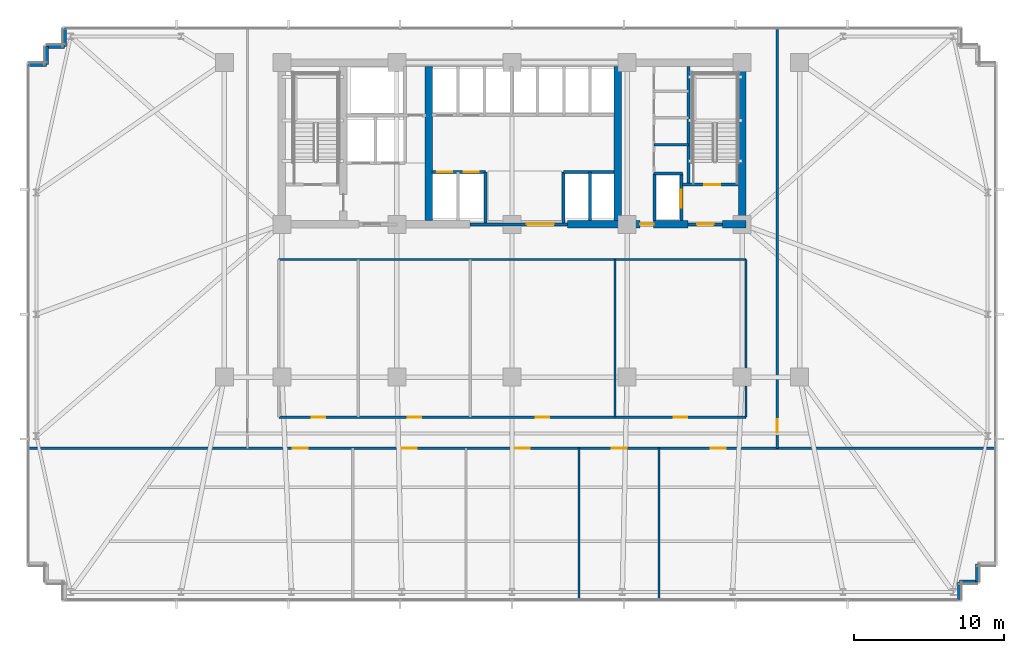
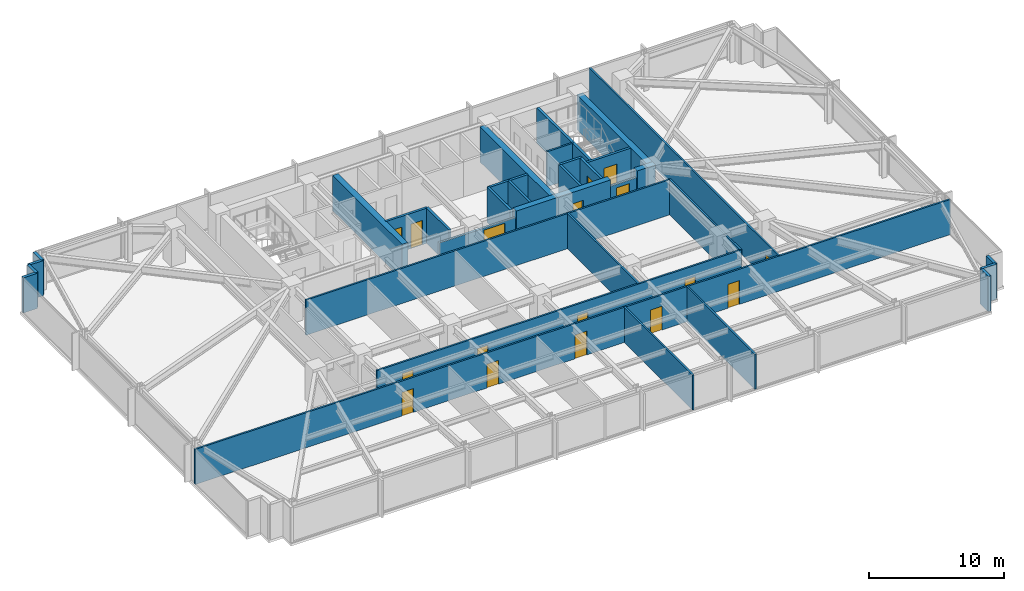
# One storey, part 25 of 33: 33 walls, 17 doors, 17 openings.
"""IFC4 building model written with IfcOpenShell, lengths in metres."""

from ifc_helpers import new_model, si_unit, direction, frame, frame_2d, origin, place, context, subcontext, project, spatial, rectangle, extrude, material, layer, layer_set, type_object, element, fill, save


model = new_model("IFC4")

# Units and contexts
model_context = context("Model", 3, precision=1e-05, world=origin(), true_north=direction((0.0, 1.0)))
body_context = subcontext(model_context, "Body", "Model", "MODEL_VIEW")
ifc_project = project(units=[si_unit("LENGTHUNIT", "METRE"), si_unit("AREAUNIT", "SQUARE_METRE"), si_unit("VOLUMEUNIT", "CUBIC_METRE"), si_unit("PLANEANGLEUNIT", "RADIAN"), si_unit("MASSUNIT", "GRAM", prefix="KILO")], contexts=[model_context])

# Site, building, storey
site_placement = place(None, origin())
site = spatial("IfcSite", under=ifc_project, at=site_placement, CompositionType="ELEMENT")
building_placement = place(site_placement, origin())
building = spatial("IfcBuilding", under=site, at=building_placement, Name="Yelkora Congress Tower", CompositionType="ELEMENT")
storey_placement = place(building_placement, frame((0.0, 0.0, 71.199951171875)))
storey = spatial("IfcBuildingStorey", under=building, at=storey_placement, Name="L18", CompositionType="ELEMENT", Elevation=71.199951171875)

# Wall
ifc_material_1 = material(Name="Concrete C50/60", Category="concrete")
ifc_layer_1 = layer(ifc_material_1, 0.219970703125)
ifc_layer_set_1 = layer_set([ifc_layer_1], Name="Concrete C50/60")
wall_type_1 = type_object("IfcWallType", Name="WALL-CORE-INT-220", PredefinedType="SHEAR", material=ifc_layer_set_1)
wall_1_placement = place(storey_placement, frame((50.179931640625, 38.050048828125, 0.0), z_axis=(0.0, 0.0, 1.0), x_axis=(0.0, 1.0, 0.0)))
element("IfcWall", 1, at=wall_1_placement, inside=storey, type_object=wall_type_1, Name="L18 ST02 West Stair Shear Wall", PredefinedType="SHEAR", context=body_context, shape_type="SweptSolid", body=[
    extrude(rectangle(XDim=7.89990234375, YDim=0.219970703125, at=frame_2d((3.949951171875, 0.0))), origin(), (0.0, 0.0, 1.0), 3.179931640625),
])

# Wall, opening, door
ifc_material_2 = material(Name="Concrete C60/75", Category="concrete")
ifc_layer_2 = layer(ifc_material_2, 0.5)
ifc_layer_set_2 = layer_set([ifc_layer_2], Name="Concrete C60/75")
wall_type_2 = type_object("IfcWallType", Name="WALL-CORE-INT-500", PredefinedType="SHEAR", material=ifc_layer_set_2)
wall_2_placement = place(storey_placement, frame((42.10009765625, 35.39990234375, 0.0), z_axis=(0.0, 0.0, 1.0), x_axis=(1.0, 0.0, 0.0)))
wall_2 = element("IfcWall", 2, at=wall_2_placement, inside=storey, type_object=wall_type_2, Name="L18 Rear Core South-East Shear Wall A", PredefinedType="SHEAR", context=body_context, shape_type="SweptSolid", body=[
    extrude(rectangle(XDim=8.0498046875, YDim=0.5, at=frame_2d((4.02490234375, 0.0))), origin(), (0.0, 0.0, 1.0), 3.179931640625),
])
opening_1_placement = place(wall_2_placement, frame((4.85009765625, 0.0, 0.0)))
opening_1 = element("IfcOpeningElement", 3, at=opening_1_placement, cuts=wall_2, Name="Opening DR-090F6", PredefinedType="OPENING", context=body_context, shape_type="SweptSolid", body=[
    extrude(rectangle(XDim=0.89990234375, YDim=2.14990234375, at=frame_2d((0.449951171875, 1.074951171875))), frame((0.0, 0.260009765625, 0.0), z_axis=(0.0, -1.0, 0.0), x_axis=(1.0, 0.0, 0.0)), (0.0, 0.0, 1.0), 0.52001953125),
])
ifc_material_3 = material(Name="Painted steel riser fire door leaf", Category="steel")
door_type_1 = type_object("IfcDoorType", Name="DOOR-FD60-900", OperationType="NOTDEFINED", PredefinedType="DOOR", material=ifc_material_3)
door_1_placement = place(opening_1_placement, origin())
door_1 = element("IfcDoor", 4, at=door_1_placement, inside=storey, type_object=door_type_1, Name="L18 Core Washroom Lobby Door", OperationType="SINGLE_SWING_RIGHT", OverallHeight=2.14990234375, OverallWidth=0.89990234375, PredefinedType="DOOR", context=body_context, shape_type="SweptSolid", body=[
    extrude(rectangle(XDim=0.89990234375, YDim=2.14990234375, at=frame_2d((0.449951171875, 1.074951171875))), frame((0.0, 0.02490234375, 0.0), z_axis=(0.0, -1.0, 0.0), x_axis=(1.0, 0.0, 0.0)), (0.0, 0.0, 1.0), 0.050048828125),
])
fill(opening_1, door_1)

# Walls
wall_3_placement = place(storey_placement, frame((52.449951171875, 35.39990234375, 0.0), z_axis=(0.0, 0.0, 1.0), x_axis=(1.0, 0.0, 0.0)))
element("IfcWall", 5, at=wall_3_placement, inside=storey, type_object=wall_type_2, Name="L18 Rear Core South-East Shear Wall B", PredefinedType="SHEAR", context=body_context, shape_type="SweptSolid", body=[
    extrude(rectangle(XDim=1.56005859375, YDim=0.5, at=frame_2d((0.780029296875, 0.0))), origin(), (0.0, 0.0, 1.0), 3.179931640625),
])
for number, where, z_axis, x_axis, name in (
    (6, (32.85009765625, 35.64990234375, 0.0), (0.0, 0.0, 1.0), (0.0, 1.0, 0.0), "L18 Rear Core Cross Shear Wall C2"),
    (7, (45.449951171875, 35.64990234375, 0.0), (0.0, 0.0, 1.0), (0.0, 1.0, 0.0), "L18 Rear Core Cross Shear Wall C3"),
    (8, (53.760009765625, 35.64990234375, 0.0), (0.0, 0.0, 1.0), (0.0, 1.0, 0.0), "L18 Rear Core Cross Shear Wall E"),
):
    element("IfcWall", number, at=place(storey_placement, frame(where, z_axis=z_axis, x_axis=x_axis)), inside=storey, type_object=wall_type_2, Name=name, PredefinedType="SHEAR", context=body_context, shape_type="SweptSolid", body=[
        extrude(rectangle(XDim=10.300048828125, YDim=0.5, at=frame_2d((5.14990234375, 0.0))), origin(), (0.0, 0.0, 1.0), 3.179931640625),
    ])
ifc_material_4 = material(Name="Concrete C40/50", Category="concrete")
ifc_layer_3 = layer(ifc_material_4, 0.239990234375)
ifc_layer_set_3 = layer_set([ifc_layer_3], Name="Concrete C40/50")
wall_type_3 = type_object("IfcWallType", Name="WALL-EXT-LIMESTONE-240", PredefinedType="SOLIDWALL", material=ifc_layer_set_3)
wall_4_placement = place(storey_placement, frame((6.139892578125, 46.06005859375, 0.0), z_axis=(0.0, 0.0, 1.0), x_axis=(1.0, 0.0, 0.0)))
element("IfcWall", 9, at=wall_4_placement, inside=storey, type_object=wall_type_3, Name="L18 Serrated Corner Limestone Pier 6", PredefinedType="SOLIDWALL", context=body_context, shape_type="SweptSolid", body=[
    extrude(rectangle(XDim=1.2001953125, YDim=0.239990234375, at=frame_2d((0.60009765625, 0.0))), origin(), (0.0, 0.0, 1.0), 3.179931640625),
])
for number, where, z_axis, x_axis, name in (
    (10, (7.340087890625, 46.06005859375, 0.0), (0.0, 0.0, 1.0), (0.0, 1.0, 0.0), "L18 Serrated Corner Limestone Pier 7"),
    (11, (7.340087890625, 47.260009765625, 0.0), (0.0, 0.0, 1.0), (1.0, 0.0, 0.0), "L18 Serrated Corner Limestone Pier 8"),
    (12, (8.5400390625, 47.260009765625, 0.0), (0.0, 0.0, 1.0), (0.0, 1.0, 0.0), "L18 Serrated Corner Limestone Pier 9"),
    (13, (69.4599609375, 12.739990234375, 0.0), (0.0, 0.0, 1.0), (0.0, -1.0, 0.0), "L18 Serrated Corner Limestone Pier 17"),
    (14, (69.4599609375, 11.5400390625, 0.0), (0.0, 0.0, 1.0), (-1.0, 0.0, 0.0), "L18 Serrated Corner Limestone Pier 18"),
    (15, (68.260009765625, 11.5400390625, 0.0), (0.0, 0.0, 1.0), (0.0, -1.0, 0.0), "L18 Serrated Corner Limestone Pier 19"),
):
    element("IfcWall", number, at=place(storey_placement, frame(where, z_axis=z_axis, x_axis=x_axis)), inside=storey, type_object=wall_type_3, Name=name, PredefinedType="SOLIDWALL", context=body_context, shape_type="SweptSolid", body=[
        extrude(rectangle(XDim=1.199951171875, YDim=0.239990234375, at=frame_2d((0.60009765625, 0.0))), origin(), (0.0, 0.0, 1.0), 3.179931640625),
    ])
ifc_material_5 = material(Name="Acoustic metal-stud gypsum partition", Category="gypsum")
ifc_layer_4 = layer(ifc_material_5, 0.14990234375)
ifc_layer_set_4 = layer_set([ifc_layer_4], Name="Acoustic metal-stud gypsum partition")
wall_type_4 = type_object("IfcWallType", Name="WALL-INT-150-NR", PredefinedType="PARTITIONING", material=ifc_layer_set_4)
wall_5_placement = place(storey_placement, frame((47.8798828125, 40.719970703125, 0.0), z_axis=(0.0, 0.0, 1.0), x_axis=(1.0, 0.0, 0.0)))
element("IfcWall", 16, at=wall_5_placement, inside=storey, type_object=wall_type_4, Name="L18 Partition Wall 28", PredefinedType="PARTITIONING", context=body_context, shape_type="SweptSolid", body=[
    extrude(rectangle(XDim=2.300048828125, YDim=0.14990234375, at=frame_2d((1.14990234375, 0.0))), origin(), (0.0, 0.0, 1.0), 3.179931640625),
])
for number, where, z_axis, x_axis, name in (
    (17, (42.8720703125, 10.280029296875, 0.0), (0.0, 0.0, 1.0), (0.0, 1.0, 0.0), "L18 Partition Wall 34"),
    (18, (48.218017578125, 10.280029296875, 0.0), (0.0, 0.0, 1.0), (0.0, 1.0, 0.0), "L18 Partition Wall 35"),
):
    element("IfcWall", number, at=place(storey_placement, frame(where, z_axis=z_axis, x_axis=x_axis)), inside=storey, type_object=wall_type_4, Name=name, PredefinedType="PARTITIONING", context=body_context, shape_type="SweptSolid", body=[
        extrude(rectangle(XDim=10.18994140625, YDim=0.14990234375, at=frame_2d((5.094970703125, 0.0))), origin(), (0.0, 0.0, 1.0), 3.179931640625),
    ])

# Wall, openings, doors
wall_6_placement = place(storey_placement, frame((6.080078125, 20.449951171875, 0.0), z_axis=(0.0, 0.0, 1.0), x_axis=(1.0, 0.0, 0.0)))
wall_6 = element("IfcWall", 19, at=wall_6_placement, inside=storey, type_object=wall_type_4, Name="L18 South Spine Wall", PredefinedType="PARTITIONING", context=body_context, shape_type="SweptSolid", body=[
    extrude(rectangle(XDim=64.639892578125, YDim=0.14990234375, at=frame_2d((32.31982421875, 0.0))), origin(), (0.0, 0.0, 1.0), 3.179931640625),
])
opening_2_placement = place(wall_6_placement, frame((17.68310546875, 0.0, 0.0)))
opening_2 = element("IfcOpeningElement", 20, at=opening_2_placement, cuts=wall_6, Name="Opening DR-100N", PredefinedType="OPENING", context=body_context, shape_type="SweptSolid", body=[
    extrude(rectangle(XDim=1.0, YDim=2.14990234375, at=frame_2d((0.5, 1.074951171875))), frame((0.0, 0.0849609375, 0.0), z_axis=(0.0, -1.0, 0.0), x_axis=(1.0, 0.0, 0.0)), (0.0, 0.0, 1.0), 0.169921875),
])
opening_3_placement = place(wall_6_placement, frame((24.969970703125, 0.0, 0.0)))
opening_3 = element("IfcOpeningElement", 21, at=opening_3_placement, cuts=wall_6, Name="Opening DR-100N", PredefinedType="OPENING", context=body_context, shape_type="SweptSolid", body=[
    extrude(rectangle(XDim=1.0, YDim=2.14990234375, at=frame_2d((0.5, 1.074951171875))), frame((0.0, 0.0849609375, 0.0), z_axis=(0.0, -1.0, 0.0), x_axis=(1.0, 0.0, 0.0)), (0.0, 0.0, 1.0), 0.169921875),
])
opening_4_placement = place(wall_6_placement, frame((32.51806640625, 0.0, 0.0)))
opening_4 = element("IfcOpeningElement", 22, at=opening_4_placement, cuts=wall_6, Name="Opening DR-100N", PredefinedType="OPENING", context=body_context, shape_type="SweptSolid", body=[
    extrude(rectangle(XDim=1.0, YDim=2.14990234375, at=frame_2d((0.5, 1.074951171875))), frame((0.0, 0.0849609375, 0.0), z_axis=(0.0, -1.0, 0.0), x_axis=(1.0, 0.0, 0.0)), (0.0, 0.0, 1.0), 0.169921875),
])
opening_5_placement = place(wall_6_placement, frame((38.965087890625, 0.0, 0.0)))
opening_5 = element("IfcOpeningElement", 23, at=opening_5_placement, cuts=wall_6, Name="Opening DR-100N", PredefinedType="OPENING", context=body_context, shape_type="SweptSolid", body=[
    extrude(rectangle(XDim=1.0, YDim=2.14990234375, at=frame_2d((0.5, 1.074951171875))), frame((0.0, 0.0849609375, 0.0), z_axis=(0.0, -1.0, 0.0), x_axis=(1.0, 0.0, 0.0)), (0.0, 0.0, 1.0), 0.169921875),
])
opening_6_placement = place(wall_6_placement, frame((45.5791015625, 0.0, 0.0)))
opening_6 = element("IfcOpeningElement", 24, at=opening_6_placement, cuts=wall_6, Name="Opening DR-100N", PredefinedType="OPENING", context=body_context, shape_type="SweptSolid", body=[
    extrude(rectangle(XDim=1.0, YDim=2.14990234375, at=frame_2d((0.5, 1.074951171875))), frame((0.0, 0.0849609375, 0.0), z_axis=(0.0, -1.0, 0.0), x_axis=(1.0, 0.0, 0.0)), (0.0, 0.0, 1.0), 0.169921875),
])
ifc_material_6 = material(Name="Solid-core Anatolian oak veneer door", Category="wood")
door_type_2 = type_object("IfcDoorType", Name="DOOR-INT-1000", OperationType="NOTDEFINED", PredefinedType="DOOR", material=ifc_material_6)
door_2_placement = place(opening_2_placement, origin())
door_2 = element("IfcDoor", 25, at=door_2_placement, inside=storey, type_object=door_type_2, Name="L18 Hospitality Kitchen Door", OperationType="SINGLE_SWING_RIGHT", OverallHeight=2.14990234375, OverallWidth=1.0, PredefinedType="DOOR", context=body_context, shape_type="SweptSolid", body=[
    extrude(rectangle(XDim=1.0, YDim=2.14990234375, at=frame_2d((0.5, 1.074951171875))), frame((0.0, 0.02490234375, 0.0), z_axis=(0.0, -1.0, 0.0), x_axis=(1.0, 0.0, 0.0)), (0.0, 0.0, 1.0), 0.050048828125),
])
fill(opening_2, door_2)
door_3_placement = place(opening_3_placement, origin())
door_3 = element("IfcDoor", 26, at=door_3_placement, inside=storey, type_object=door_type_2, Name="L18 Executive Office Door", OperationType="SINGLE_SWING_LEFT", OverallHeight=2.14990234375, OverallWidth=1.0, PredefinedType="DOOR", context=body_context, shape_type="SweptSolid", body=[
    extrude(rectangle(XDim=1.0, YDim=2.14990234375, at=frame_2d((0.5, 1.074951171875))), frame((0.0, 0.02490234375, 0.0), z_axis=(0.0, -1.0, 0.0), x_axis=(1.0, 0.0, 0.0)), (0.0, 0.0, 1.0), 0.050048828125),
])
fill(opening_3, door_3)
door_4_placement = place(opening_4_placement, origin())
door_4 = element("IfcDoor", 27, at=door_4_placement, inside=storey, type_object=door_type_2, Name="L18 Wellness Room Door", OperationType="SINGLE_SWING_RIGHT", OverallHeight=2.14990234375, OverallWidth=1.0, PredefinedType="DOOR", context=body_context, shape_type="SweptSolid", body=[
    extrude(rectangle(XDim=1.0, YDim=2.14990234375, at=frame_2d((0.5, 1.074951171875))), frame((0.0, 0.02490234375, 0.0), z_axis=(0.0, -1.0, 0.0), x_axis=(1.0, 0.0, 0.0)), (0.0, 0.0, 1.0), 0.050048828125),
])
fill(opening_4, door_4)
door_5_placement = place(opening_5_placement, origin())
door_5 = element("IfcDoor", 28, at=door_5_placement, inside=storey, type_object=door_type_2, Name="L18 Store Equipment Door", OperationType="SINGLE_SWING_LEFT", OverallHeight=2.14990234375, OverallWidth=1.0, PredefinedType="DOOR", context=body_context, shape_type="SweptSolid", body=[
    extrude(rectangle(XDim=1.0, YDim=2.14990234375, at=frame_2d((0.5, 1.074951171875))), frame((0.0, 0.02490234375, 0.0), z_axis=(0.0, -1.0, 0.0), x_axis=(1.0, 0.0, 0.0)), (0.0, 0.0, 1.0), 0.050048828125),
])
fill(opening_5, door_5)
door_6_placement = place(opening_6_placement, origin())
door_6 = element("IfcDoor", 29, at=door_6_placement, inside=storey, type_object=door_type_2, Name="L18 Design Studio Office Door", OperationType="SINGLE_SWING_RIGHT", OverallHeight=2.14990234375, OverallWidth=1.0, PredefinedType="DOOR", context=body_context, shape_type="SweptSolid", body=[
    extrude(rectangle(XDim=1.0, YDim=2.14990234375, at=frame_2d((0.5, 1.074951171875))), frame((0.0, 0.02490234375, 0.0), z_axis=(0.0, -1.0, 0.0), x_axis=(1.0, 0.0, 0.0)), (0.0, 0.0, 1.0), 0.050048828125),
])
fill(opening_6, door_6)

# Wall, opening, door
wall_7_placement = place(storey_placement, frame((56.10009765625, 20.449951171875, 0.0), z_axis=(0.0, 0.0, 1.0), x_axis=(0.0, 1.0, 0.0)))
wall_7 = element("IfcWall", 30, at=wall_7_placement, inside=storey, type_object=wall_type_4, Name="L18 Partition Wall 38", PredefinedType="PARTITIONING", context=body_context, shape_type="SweptSolid", body=[
    extrude(rectangle(XDim=28.070068359375, YDim=0.14990234375, at=frame_2d((14.03515625, 0.0))), origin(), (0.0, 0.0, 1.0), 3.179931640625),
])
opening_7_placement = place(wall_7_placement, frame((1.030029296875, 0.0, 0.0)))
opening_7 = element("IfcOpeningElement", 31, at=opening_7_placement, cuts=wall_7, Name="Opening DR-090N", PredefinedType="OPENING", context=body_context, shape_type="SweptSolid", body=[
    extrude(rectangle(XDim=0.89990234375, YDim=2.14990234375, at=frame_2d((0.449951171875, 1.074951171875))), frame((0.0, 0.0849609375, 0.0), z_axis=(0.0, -1.0, 0.0), x_axis=(1.0, 0.0, 0.0)), (0.0, 0.0, 1.0), 0.169921875),
])
ifc_material_7 = material(Name="Moisture-resistant laminate door leaf", Category="wood")
door_type_3 = type_object("IfcDoorType", Name="DOOR-INT-900", OperationType="NOTDEFINED", PredefinedType="DOOR", material=ifc_material_7)
door_7_placement = place(opening_7_placement, origin())
door_7 = element("IfcDoor", 32, at=door_7_placement, inside=storey, type_object=door_type_3, Name="L18 E Wing Door", OperationType="SINGLE_SWING_RIGHT", OverallHeight=2.14990234375, OverallWidth=0.89990234375, PredefinedType="DOOR", context=body_context, shape_type="SweptSolid", body=[
    extrude(rectangle(XDim=0.89990234375, YDim=2.14990234375, at=frame_2d((0.449951171875, 1.074951171875))), frame((0.0, 0.02490234375, 0.0), z_axis=(0.0, -1.0, 0.0), x_axis=(1.0, 0.0, 0.0)), (0.0, 0.0, 1.0), 0.050048828125),
])
fill(opening_7, door_7)

# Walls
wall_8_placement = place(storey_placement, frame((54.02001953125, 22.530029296875, 0.0), z_axis=(0.0, 0.0, 1.0), x_axis=(0.0, 1.0, 0.0)))
element("IfcWall", 33, at=wall_8_placement, inside=storey, type_object=wall_type_4, Name="L18 Partition Wall 40", PredefinedType="PARTITIONING", context=body_context, shape_type="SweptSolid", body=[
    extrude(rectangle(XDim=10.52001953125, YDim=0.14990234375, at=frame_2d((5.260009765625, 0.0))), origin(), (0.0, 0.0, 1.0), 3.179931640625),
])
wall_9_placement = place(storey_placement, frame((22.830078125, 33.050048828125, 0.0), z_axis=(0.0, 0.0, 1.0), x_axis=(1.0, 0.0, 0.0)))
element("IfcWall", 34, at=wall_9_placement, inside=storey, type_object=wall_type_4, Name="L18 Partition Wall 41", PredefinedType="PARTITIONING", context=body_context, shape_type="SweptSolid", body=[
    extrude(rectangle(XDim=31.18994140625, YDim=0.14990234375, at=frame_2d((15.594970703125, 0.0))), origin(), (0.0, 0.0, 1.0), 3.179931640625),
])
wall_10_placement = place(storey_placement, frame((45.281982421875, 22.530029296875, 0.0), z_axis=(0.0, 0.0, 1.0), x_axis=(0.0, 1.0, 0.0)))
element("IfcWall", 35, at=wall_10_placement, inside=storey, type_object=wall_type_4, Name="L18 Partition Wall 44", PredefinedType="PARTITIONING", context=body_context, shape_type="SweptSolid", body=[
    extrude(rectangle(XDim=10.52001953125, YDim=0.14990234375, at=frame_2d((5.260009765625, 0.0))), origin(), (0.0, 0.0, 1.0), 3.179931640625),
])

# Wall, openings, doors
wall_11_placement = place(storey_placement, frame((22.840087890625, 22.530029296875, 0.0), z_axis=(0.0, 0.0, 1.0), x_axis=(1.0, 0.0, 0.0)))
wall_11 = element("IfcWall", 36, at=wall_11_placement, inside=storey, type_object=wall_type_4, Name="L18 Partition Wall 45", PredefinedType="PARTITIONING", context=body_context, shape_type="SweptSolid", body=[
    extrude(rectangle(XDim=31.169921875, YDim=0.14990234375, at=frame_2d((15.5849609375, 0.0))), origin(), (0.0, 0.0, 1.0), 3.179931640625),
])
opening_8_placement = place(wall_11_placement, frame((2.199462890625, 0.0, 0.0)))
opening_8 = element("IfcOpeningElement", 37, at=opening_8_placement, cuts=wall_11, Name="Opening DR-090N", PredefinedType="OPENING", context=body_context, shape_type="SweptSolid", body=[
    extrude(rectangle(XDim=0.89990234375, YDim=2.14990234375, at=frame_2d((0.449951171875, 1.074951171875))), frame((0.0, 0.0849609375, 0.0), z_axis=(0.0, -1.0, 0.0), x_axis=(1.0, 0.0, 0.0)), (0.0, 0.0, 1.0), 0.169921875),
])
opening_9_placement = place(wall_11_placement, frame((8.589599609375, 0.0, 0.0)))
opening_9 = element("IfcOpeningElement", 38, at=opening_9_placement, cuts=wall_11, Name="Opening DR-090N", PredefinedType="OPENING", context=body_context, shape_type="SweptSolid", body=[
    extrude(rectangle(XDim=0.89990234375, YDim=2.14990234375, at=frame_2d((0.449951171875, 1.074951171875))), frame((0.0, 0.0849609375, 0.0), z_axis=(0.0, -1.0, 0.0), x_axis=(1.0, 0.0, 0.0)), (0.0, 0.0, 1.0), 0.169921875),
])
opening_10_placement = place(wall_11_placement, frame((17.160888671875, 0.0, 0.0)))
opening_10 = element("IfcOpeningElement", 39, at=opening_10_placement, cuts=wall_11, Name="Opening DR-090N", PredefinedType="OPENING", context=body_context, shape_type="SweptSolid", body=[
    extrude(rectangle(XDim=0.89990234375, YDim=2.14990234375, at=frame_2d((0.449951171875, 1.074951171875))), frame((0.0, 0.0849609375, 0.0), z_axis=(0.0, -1.0, 0.0), x_axis=(1.0, 0.0, 0.0)), (0.0, 0.0, 1.0), 0.169921875),
])
opening_11_placement = place(wall_11_placement, frame((26.35595703125, 0.0, 0.0)))
opening_11 = element("IfcOpeningElement", 40, at=opening_11_placement, cuts=wall_11, Name="Opening DR-090N", PredefinedType="OPENING", context=body_context, shape_type="SweptSolid", body=[
    extrude(rectangle(XDim=0.89990234375, YDim=2.14990234375, at=frame_2d((0.449951171875, 1.074951171875))), frame((0.0, 0.0849609375, 0.0), z_axis=(0.0, -1.0, 0.0), x_axis=(1.0, 0.0, 0.0)), (0.0, 0.0, 1.0), 0.169921875),
])
door_8_placement = place(opening_8_placement, origin())
door_8 = element("IfcDoor", 41, at=door_8_placement, inside=storey, type_object=door_type_3, Name="L18 Seminar Briefing Room Door", OperationType="SINGLE_SWING_LEFT", OverallHeight=2.14990234375, OverallWidth=0.89990234375, PredefinedType="DOOR", context=body_context, shape_type="SweptSolid", body=[
    extrude(rectangle(XDim=0.89990234375, YDim=2.14990234375, at=frame_2d((0.449951171875, 1.074951171875))), frame((0.0, 0.02490234375, 0.0), z_axis=(0.0, -1.0, 0.0), x_axis=(1.0, 0.0, 0.0)), (0.0, 0.0, 1.0), 0.050048828125),
])
fill(opening_8, door_8)
door_9_placement = place(opening_9_placement, origin())
door_9 = element("IfcDoor", 42, at=door_9_placement, inside=storey, type_object=door_type_3, Name="L18 Executive Study Office Door", OperationType="SINGLE_SWING_RIGHT", OverallHeight=2.14990234375, OverallWidth=0.89990234375, PredefinedType="DOOR", context=body_context, shape_type="SweptSolid", body=[
    extrude(rectangle(XDim=0.89990234375, YDim=2.14990234375, at=frame_2d((0.449951171875, 1.074951171875))), frame((0.0, 0.02490234375, 0.0), z_axis=(0.0, -1.0, 0.0), x_axis=(1.0, 0.0, 0.0)), (0.0, 0.0, 1.0), 0.050048828125),
])
fill(opening_9, door_9)
door_10_placement = place(opening_10_placement, origin())
door_10 = element("IfcDoor", 43, at=door_10_placement, inside=storey, type_object=door_type_3, Name="L18 Delegate Reading Lounge Door", OperationType="SINGLE_SWING_LEFT", OverallHeight=2.14990234375, OverallWidth=0.89990234375, PredefinedType="DOOR", context=body_context, shape_type="SweptSolid", body=[
    extrude(rectangle(XDim=0.89990234375, YDim=2.14990234375, at=frame_2d((0.449951171875, 1.074951171875))), frame((0.0, 0.02490234375, 0.0), z_axis=(0.0, -1.0, 0.0), x_axis=(1.0, 0.0, 0.0)), (0.0, 0.0, 1.0), 0.050048828125),
])
fill(opening_10, door_10)
door_11_placement = place(opening_11_placement, origin())
door_11 = element("IfcDoor", 44, at=door_11_placement, inside=storey, type_object=door_type_3, Name="L18 Seminar Briefing Room Door", OperationType="SINGLE_SWING_RIGHT", OverallHeight=2.14990234375, OverallWidth=0.89990234375, PredefinedType="DOOR", context=body_context, shape_type="SweptSolid", body=[
    extrude(rectangle(XDim=0.89990234375, YDim=2.14990234375, at=frame_2d((0.449951171875, 1.074951171875))), frame((0.0, 0.02490234375, 0.0), z_axis=(0.0, -1.0, 0.0), x_axis=(1.0, 0.0, 0.0)), (0.0, 0.0, 1.0), 0.050048828125),
])
fill(opening_11, door_11)

# Wall, opening, door
ifc_material_8 = material(Name="Autoclaved aerated concrete blockwork", Category="masonry")
ifc_layer_5 = layer(ifc_material_8, 0.199951171875)
ifc_layer_set_5 = layer_set([ifc_layer_5], Name="Autoclaved aerated concrete blockwork")
wall_type_5 = type_object("IfcWallType", Name="WALL-INT-200-R120", PredefinedType="PARTITIONING", material=ifc_layer_set_5)
wall_12_placement = place(storey_placement, frame((35.60009765625, 35.39990234375, 0.0), z_axis=(0.0, 0.0, 1.0), x_axis=(1.0, 0.0, 0.0)))
wall_12 = element("IfcWall", 45, at=wall_12_placement, inside=storey, type_object=wall_type_5, Name="L18 Main Lift Lobby South Portal Wall", PredefinedType="PARTITIONING", context=body_context, shape_type="SweptSolid", body=[
    extrude(rectangle(XDim=6.5, YDim=0.199951171875, at=frame_2d((3.25, 0.0))), origin(), (0.0, 0.0, 1.0), 2.47509765625),
])
opening_12_placement = place(wall_12_placement, frame((3.800048828125, 0.0, 0.0)))
opening_12 = element("IfcOpeningElement", 46, at=opening_12_placement, cuts=wall_12, Name="Opening DR-180D", PredefinedType="OPENING", context=body_context, shape_type="SweptSolid", body=[
    extrude(rectangle(XDim=1.800048828125, YDim=2.300048828125, at=frame_2d((0.89990234375, 1.14990234375))), frame((0.0, 0.10986328125, 0.0), z_axis=(0.0, -1.0, 0.0), x_axis=(1.0, 0.0, 0.0)), (0.0, 0.0, 1.0), 0.219970703125),
])
ifc_material_9 = material(Name="Acoustic double congress hall doors", Category="wood")
door_type_4 = type_object("IfcDoorType", Name="DOOR-DBL-1800", OperationType="DOUBLE_DOOR_SINGLE_SWING", PredefinedType="DOOR", material=ifc_material_9)
door_12_placement = place(opening_12_placement, origin())
door_12 = element("IfcDoor", 47, at=door_12_placement, inside=storey, type_object=door_type_4, Name="L18 Main Lift Lobby Portal Door", OperationType="DOUBLE_DOOR_SINGLE_SWING", OverallHeight=2.300048828125, OverallWidth=1.800048828125, PredefinedType="DOOR", context=body_context, shape_type="SweptSolid", body=[
    extrude(rectangle(XDim=1.800048828125, YDim=2.300048828125, at=frame_2d((0.89990234375, 1.14990234375))), frame((0.0, 0.02490234375, 0.0), z_axis=(0.0, -1.0, 0.0), x_axis=(1.0, 0.0, 0.0)), (0.0, 0.0, 1.0), 0.050048828125),
])
fill(opening_12, door_12)

# Wall, openings, doors
wall_13_placement = place(storey_placement, frame((33.050048828125, 38.89990234375, 0.0), z_axis=(0.0, 0.0, 1.0), x_axis=(1.0, 0.0, 0.0)))
wall_13 = element("IfcWall", 48, at=wall_13_placement, inside=storey, type_object=wall_type_5, Name="L18 Partition Wall 11", PredefinedType="PARTITIONING", context=body_context, shape_type="SweptSolid", body=[
    extrude(rectangle(XDim=3.570068359375, YDim=0.199951171875, at=frame_2d((1.78515625, 0.0))), origin(), (0.0, 0.0, 1.0), 3.179931640625),
])
opening_13_placement = place(wall_13_placement, frame((0.375, 0.0, 0.0)))
opening_13 = element("IfcOpeningElement", 49, at=opening_13_placement, cuts=wall_13, Name="Opening LD-PS10", PredefinedType="OPENING", context=body_context, shape_type="SweptSolid", body=[
    extrude(rectangle(XDim=1.0, YDim=2.199951171875, at=frame_2d((0.5, 1.10009765625))), frame((0.0, 0.10986328125, 0.0), z_axis=(0.0, -1.0, 0.0), x_axis=(1.0, 0.0, 0.0)), (0.0, 0.0, 1.0), 0.219970703125),
])
opening_14_placement = place(wall_13_placement, frame((2.125, 0.0, 0.0)))
opening_14 = element("IfcOpeningElement", 50, at=opening_14_placement, cuts=wall_13, Name="Opening LD-PS10", PredefinedType="OPENING", context=body_context, shape_type="SweptSolid", body=[
    extrude(rectangle(XDim=1.0, YDim=2.199951171875, at=frame_2d((0.5, 1.10009765625))), frame((0.0, 0.10986328125, 0.0), z_axis=(0.0, -1.0, 0.0), x_axis=(1.0, 0.0, 0.0)), (0.0, 0.0, 1.0), 0.219970703125),
])
ifc_material_10 = material(Name="Champagne stainless steel landing door", Category="steel")
door_type_5 = type_object("IfcDoorType", Name="DOOR-LIFT-PAS-1000", OperationType="DOUBLE_DOOR_SLIDING", PredefinedType="DOOR", material=ifc_material_10)
door_13_placement = place(opening_13_placement, origin())
door_13 = element("IfcDoor", 51, at=door_13_placement, inside=storey, type_object=door_type_5, Name="Lift Landing Door LF-P1 L18", OperationType="DOUBLE_DOOR_SLIDING", OverallHeight=2.199951171875, OverallWidth=1.0, PredefinedType="DOOR", context=body_context, shape_type="SweptSolid", body=[
    extrude(rectangle(XDim=1.0, YDim=2.199951171875, at=frame_2d((0.5, 1.10009765625))), frame((0.0, 0.02490234375, 0.0), z_axis=(0.0, -1.0, 0.0), x_axis=(1.0, 0.0, 0.0)), (0.0, 0.0, 1.0), 0.050048828125),
])
fill(opening_13, door_13)
door_14_placement = place(opening_14_placement, origin())
door_14 = element("IfcDoor", 52, at=door_14_placement, inside=storey, type_object=door_type_5, Name="Lift Landing Door LF-P2 L18", OperationType="DOUBLE_DOOR_SLIDING", OverallHeight=2.199951171875, OverallWidth=1.0, PredefinedType="DOOR", context=body_context, shape_type="SweptSolid", body=[
    extrude(rectangle(XDim=1.0, YDim=2.199951171875, at=frame_2d((0.5, 1.10009765625))), frame((0.0, 0.02490234375, 0.0), z_axis=(0.0, -1.0, 0.0), x_axis=(1.0, 0.0, 0.0)), (0.0, 0.0, 1.0), 0.050048828125),
])
fill(opening_14, door_14)

# Walls
wall_14_placement = place(storey_placement, frame((36.6201171875, 35.5, 0.0), z_axis=(0.0, 0.0, 1.0), x_axis=(0.0, 1.0, 0.0)))
element("IfcWall", 53, at=wall_14_placement, inside=storey, type_object=wall_type_5, Name="L18 Partition Wall 15", PredefinedType="PARTITIONING", context=body_context, shape_type="SweptSolid", body=[
    extrude(rectangle(XDim=3.39990234375, YDim=0.199951171875, at=frame_2d((1.699951171875, 0.0))), origin(), (0.0, 0.0, 1.0), 3.179931640625),
])
wall_15_placement = place(storey_placement, frame((41.85009765625, 38.89990234375, 0.0), z_axis=(0.0, 0.0, 1.0), x_axis=(1.0, 0.0, 0.0)))
element("IfcWall", 54, at=wall_15_placement, inside=storey, type_object=wall_type_5, Name="L18 Partition Wall 17", PredefinedType="PARTITIONING", context=body_context, shape_type="SweptSolid", body=[
    extrude(rectangle(XDim=3.369873046875, YDim=0.199951171875, at=frame_2d((1.68505859375, 0.0))), origin(), (0.0, 0.0, 1.0), 3.179931640625),
])
wall_16_placement = place(storey_placement, frame((43.60009765625, 35.64990234375, 0.0), z_axis=(0.0, 0.0, 1.0), x_axis=(0.0, 1.0, 0.0)))
element("IfcWall", 55, at=wall_16_placement, inside=storey, type_object=wall_type_5, Name="L18 Partition Wall 19", PredefinedType="PARTITIONING", context=body_context, shape_type="SweptSolid", body=[
    extrude(rectangle(XDim=3.25, YDim=0.199951171875, at=frame_2d((1.625, 0.0))), origin(), (0.0, 0.0, 1.0), 3.179931640625),
])
wall_17_placement = place(storey_placement, frame((41.85009765625, 35.5, 0.0), z_axis=(0.0, 0.0, 1.0), x_axis=(0.0, 1.0, 0.0)))
element("IfcWall", 56, at=wall_17_placement, inside=storey, type_object=wall_type_5, Name="L18 Partition Wall 21", PredefinedType="PARTITIONING", context=body_context, shape_type="SweptSolid", body=[
    extrude(rectangle(XDim=3.39990234375, YDim=0.199951171875, at=frame_2d((1.699951171875, 0.0))), origin(), (0.0, 0.0, 1.0), 3.179931640625),
])

# Wall, opening, door
wall_18_placement = place(storey_placement, frame((49.780029296875, 38.050048828125, 0.0), z_axis=(0.0, 0.0, 1.0), x_axis=(1.0, 0.0, 0.0)))
wall_18 = element("IfcWall", 57, at=wall_18_placement, inside=storey, type_object=wall_type_5, Name="L18 Stair ST-02 Enclosure Wall", PredefinedType="PARTITIONING", context=body_context, shape_type="SweptSolid", body=[
    extrude(rectangle(XDim=3.719970703125, YDim=0.199951171875, at=frame_2d((1.85986328125, 0.0))), origin(), (0.0, 0.0, 1.0), 3.179931640625),
])
opening_15_placement = place(wall_18_placement, frame((1.436279296875, 0.0, 0.0)))
opening_15 = element("IfcOpeningElement", 58, at=opening_15_placement, cuts=wall_18, Name="Opening DR-110F9", PredefinedType="OPENING", context=body_context, shape_type="SweptSolid", body=[
    extrude(rectangle(XDim=1.10009765625, YDim=2.14990234375, at=frame_2d((0.550048828125, 1.074951171875))), frame((0.0, 0.10986328125, 0.0), z_axis=(0.0, -1.0, 0.0), x_axis=(1.0, 0.0, 0.0)), (0.0, 0.0, 1.0), 0.219970703125),
])
ifc_material_11 = material(Name="Galvanised steel fire door leaf", Category="steel")
door_type_6 = type_object("IfcDoorType", Name="DOOR-FD90-1100", OperationType="NOTDEFINED", PredefinedType="DOOR", material=ifc_material_11)
door_15_placement = place(opening_15_placement, origin())
door_15 = element("IfcDoor", 59, at=door_15_placement, inside=storey, type_object=door_type_6, Name="L18 Stair ST-02 Entry Door", OperationType="SINGLE_SWING_LEFT", OverallHeight=2.14990234375, OverallWidth=1.10009765625, PredefinedType="DOOR", context=body_context, shape_type="SweptSolid", body=[
    extrude(rectangle(XDim=1.10009765625, YDim=2.14990234375, at=frame_2d((0.550048828125, 1.074951171875))), frame((0.0, 0.02490234375, 0.0), z_axis=(0.0, -1.0, 0.0), x_axis=(1.0, 0.0, 0.0)), (0.0, 0.0, 1.0), 0.050048828125),
])
fill(opening_15, door_15)

wall_19_placement = place(storey_placement, frame((50.14990234375, 35.39990234375, 0.0), z_axis=(0.0, 0.0, 1.0), x_axis=(1.0, 0.0, 0.0)))
wall_19 = element("IfcWall", 60, at=wall_19_placement, inside=storey, type_object=wall_type_5, Name="L18 Partition Wall 24", PredefinedType="PARTITIONING", context=body_context, shape_type="SweptSolid", body=[
    extrude(rectangle(XDim=2.300048828125, YDim=0.199951171875, at=frame_2d((1.14990234375, 0.0))), origin(), (0.0, 0.0, 1.0), 2.47509765625),
])
opening_16_placement = place(wall_19_placement, frame((0.60009765625, 0.0, 0.0)))
opening_16 = element("IfcOpeningElement", 61, at=opening_16_placement, cuts=wall_19, Name="Opening DR-110F9", PredefinedType="OPENING", context=body_context, shape_type="SweptSolid", body=[
    extrude(rectangle(XDim=1.10009765625, YDim=2.14990234375, at=frame_2d((0.550048828125, 1.074951171875))), frame((0.0, 0.10986328125, 0.0), z_axis=(0.0, -1.0, 0.0), x_axis=(1.0, 0.0, 0.0)), (0.0, 0.0, 1.0), 0.219970703125),
])
door_16_placement = place(opening_16_placement, origin())
door_16 = element("IfcDoor", 62, at=door_16_placement, inside=storey, type_object=door_type_6, Name="L18 East Stair Lobby Door", OperationType="SINGLE_SWING_RIGHT", OverallHeight=2.14990234375, OverallWidth=1.10009765625, PredefinedType="DOOR", context=body_context, shape_type="SweptSolid", body=[
    extrude(rectangle(XDim=1.10009765625, YDim=2.14990234375, at=frame_2d((0.550048828125, 1.074951171875))), frame((0.0, 0.02490234375, 0.0), z_axis=(0.0, -1.0, 0.0), x_axis=(1.0, 0.0, 0.0)), (0.0, 0.0, 1.0), 0.050048828125),
])
fill(opening_16, door_16)

wall_20_placement = place(storey_placement, frame((49.699951171875, 35.64990234375, 0.0), z_axis=(0.0, 0.0, 1.0), x_axis=(0.0, 1.0, 0.0)))
wall_20 = element("IfcWall", 63, at=wall_20_placement, inside=storey, type_object=wall_type_5, Name="L18 Partition Wall 25", PredefinedType="PARTITIONING", context=body_context, shape_type="SweptSolid", body=[
    extrude(rectangle(XDim=3.150146484375, YDim=0.199951171875, at=frame_2d((1.5751953125, 0.0))), origin(), (0.0, 0.0, 1.0), 3.179931640625),
])
opening_17_placement = place(wall_20_placement, frame((0.85009765625, 0.0, 0.0)))
opening_17 = element("IfcOpeningElement", 64, at=opening_17_placement, cuts=wall_20, Name="Opening LD-SV12", PredefinedType="OPENING", context=body_context, shape_type="SweptSolid", body=[
    extrude(rectangle(XDim=1.199951171875, YDim=2.199951171875, at=frame_2d((0.60009765625, 1.10009765625))), frame((0.0, 0.10986328125, 0.0), z_axis=(0.0, -1.0, 0.0), x_axis=(1.0, 0.0, 0.0)), (0.0, 0.0, 1.0), 0.219970703125),
])
ifc_material_12 = material(Name="Heavy-duty stainless steel landing door", Category="steel")
door_type_7 = type_object("IfcDoorType", Name="DOOR-LIFT-SRV-1200", OperationType="DOUBLE_DOOR_SLIDING", PredefinedType="DOOR", material=ifc_material_12)
door_17_placement = place(opening_17_placement, origin())
door_17 = element("IfcDoor", 65, at=door_17_placement, inside=storey, type_object=door_type_7, Name="Service Lift Landing Door LF-SV1 L18", OperationType="DOUBLE_DOOR_SLIDING", OverallHeight=2.199951171875, OverallWidth=1.199951171875, PredefinedType="DOOR", context=body_context, shape_type="SweptSolid", body=[
    extrude(rectangle(XDim=1.199951171875, YDim=2.199951171875, at=frame_2d((0.60009765625, 1.10009765625))), frame((0.0, 0.02490234375, 0.0), z_axis=(0.0, -1.0, 0.0), x_axis=(1.0, 0.0, 0.0)), (0.0, 0.0, 1.0), 0.050048828125),
])
fill(opening_17, door_17)

# Walls
wall_21_placement = place(storey_placement, frame((47.919921875, 35.64990234375, 0.0), z_axis=(0.0, 0.0, 1.0), x_axis=(0.0, 1.0, 0.0)))
element("IfcWall", 66, at=wall_21_placement, inside=storey, type_object=wall_type_5, Name="L18 Partition Wall 26", PredefinedType="PARTITIONING", context=body_context, shape_type="SweptSolid", body=[
    extrude(rectangle(XDim=3.150146484375, YDim=0.199951171875, at=frame_2d((1.5751953125, 0.0))), origin(), (0.0, 0.0, 1.0), 3.179931640625),
])
wall_22_placement = place(storey_placement, frame((47.919921875, 38.800048828125, 0.0), z_axis=(0.0, 0.0, 1.0), x_axis=(1.0, 0.0, 0.0)))
element("IfcWall", 67, at=wall_22_placement, inside=storey, type_object=wall_type_5, Name="L18 Partition Wall 27", PredefinedType="PARTITIONING", context=body_context, shape_type="SweptSolid", body=[
    extrude(rectangle(XDim=1.860107421875, YDim=0.199951171875, at=frame_2d((0.93017578125, 0.0))), origin(), (0.0, 0.0, 1.0), 3.179931640625),
])

save(model, "model.ifc")
